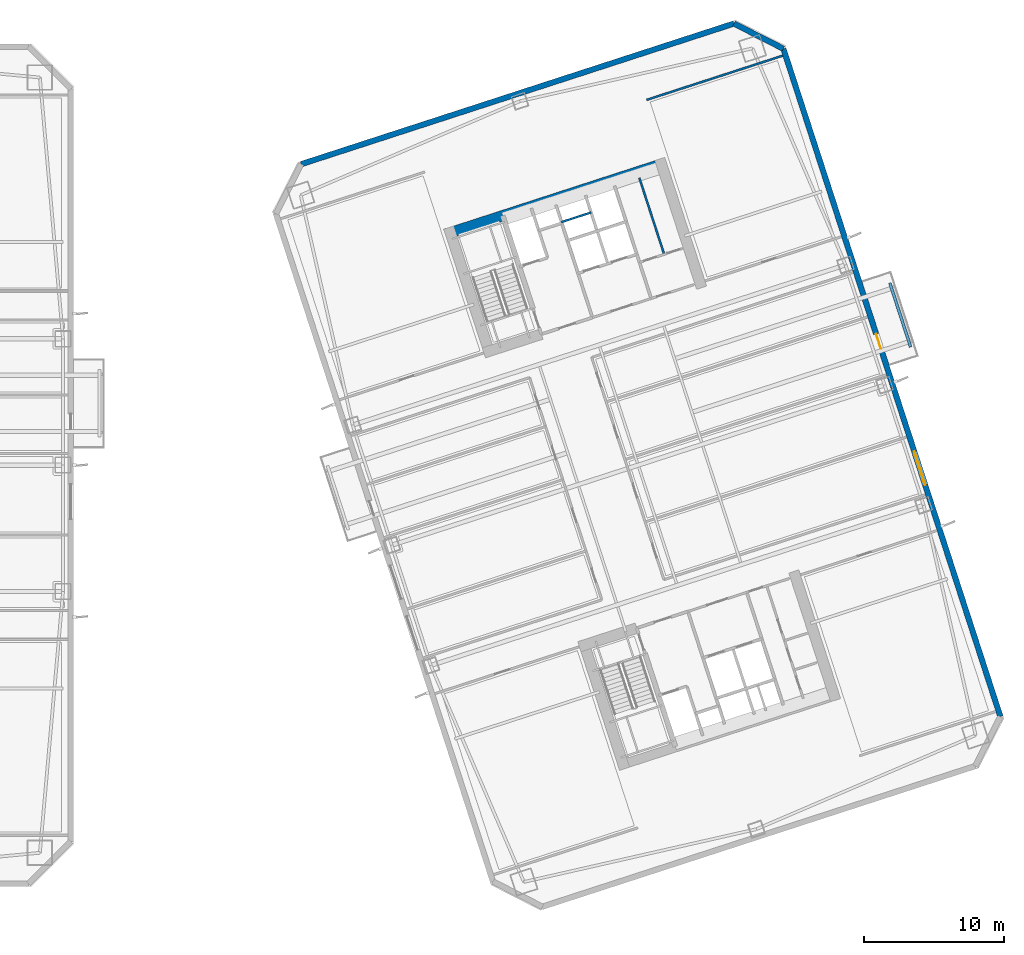
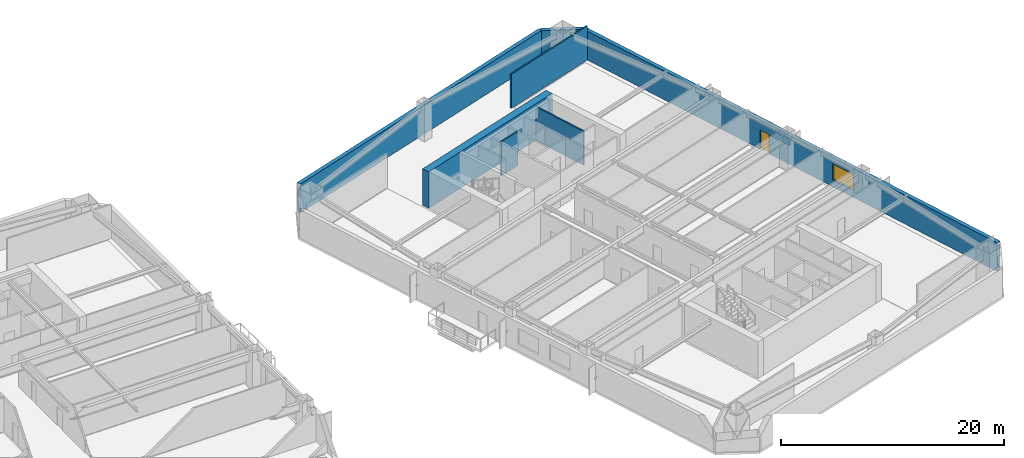
# One storey, part 9 of 21: 8 walls, 1 door, 1 window, 2 openings.
"""IFC4 building model written with IfcOpenShell, lengths in metres."""

from ifc_helpers import new_model, si_unit, direction, frame, frame_2d, origin, place, context, subcontext, project, spatial, rectangle, extrude, material, layer, layer_set, type_object, element, fill, save


model = new_model("IFC4")

# Units and contexts
model_context = context("Model", 3, precision=1e-05, world=origin(), true_north=direction((0.0, 1.0)))
body_context = subcontext(model_context, "Body", "Model", "MODEL_VIEW")
ifc_project = project(units=[si_unit("LENGTHUNIT", "METRE"), si_unit("AREAUNIT", "SQUARE_METRE"), si_unit("VOLUMEUNIT", "CUBIC_METRE"), si_unit("PLANEANGLEUNIT", "RADIAN"), si_unit("MASSUNIT", "GRAM", prefix="KILO")], contexts=[model_context])

# Site, building, storey
site_placement = place(None, origin())
site = spatial("IfcSite", under=ifc_project, at=site_placement, CompositionType="ELEMENT")
building_placement = place(site_placement, origin())
building = spatial("IfcBuilding", under=site, at=building_placement, Name="Qiaolan Cultural Towers", CompositionType="ELEMENT")
storey_placement = place(building_placement, frame((0.0, 0.0, 34.0)))
storey = spatial("IfcBuildingStorey", under=building, at=storey_placement, Name="L07", CompositionType="ELEMENT", Elevation=34.0)

# Walls
ifc_material_1 = material(Name="Concrete C60", Category="concrete")
ifc_layer_1 = layer(ifc_material_1, 0.75)
ifc_layer_set_1 = layer_set([ifc_layer_1], Name="Concrete C60")
wall_type_1 = type_object("IfcWallType", Name="WL-CORE-750", PredefinedType="SHEAR", material=ifc_layer_set_1)
wall_1_placement = place(storey_placement, frame((76.27197265625, 50.442626953125, 0.0), z_axis=(0.0, 0.0, 1.0), x_axis=(0.951056072937, 0.309018358888, 0.0)))
element("IfcWall", 1, at=wall_1_placement, inside=storey, type_object=wall_type_1, Name="L07 T2-CN Outer Core Shear Wall", PredefinedType="SHEAR", context=body_context, shape_type="SweptSolid", body=[
    extrude(rectangle(XDim=16.550048828125, YDim=0.75, at=frame_2d((8.27490234375, 0.0))), origin(), (0.0, 0.0, 1.0), 4.0),
])
ifc_material_2 = material(Name="Precast Concrete C50 Honed Stone Pier", Category="masonry")
ifc_layer_2 = layer(ifc_material_2, 0.39990234375)
ifc_layer_set_2 = layer_set([ifc_layer_2], Name="Precast Concrete C50 Honed Stone Pier")
wall_type_2 = type_object("IfcWallType", Name="WL-EXT-PIER-400", PredefinedType="SOLIDWALL", material=ifc_layer_set_2)
wall_2_placement = place(storey_placement, frame((66.002197265625, 55.433349609375, 0.0), z_axis=(0.0, 0.0, 1.0), x_axis=(0.951055939317, 0.309018770125, 0.0)))
element("IfcWall", 2, at=wall_2_placement, inside=storey, type_object=wall_type_2, Name="L07 East Tower Precast Pier Facade Wall F3", PredefinedType="SOLIDWALL", context=body_context, shape_type="SweptSolid", body=[
    extrude(rectangle(XDim=32.39990234375, YDim=0.39990234375, at=frame_2d((16.199951171875, 0.0))), origin(), (0.0, 0.0, 1.0), 3.159912109375),
])
wall_3_placement = place(storey_placement, frame((96.81640625, 65.445556640625, 0.0), z_axis=(0.0, 0.0, 1.0), x_axis=(0.890998089617, -0.454007053137, 0.0)))
element("IfcWall", 3, at=wall_3_placement, inside=storey, type_object=wall_type_2, Name="L07 East Tower Precast Pier Facade Wall F4", PredefinedType="SOLIDWALL", context=body_context, shape_type="SweptSolid", body=[
    extrude(rectangle(XDim=3.9599609375, YDim=0.39990234375, at=frame_2d((1.97998046875, 0.0))), origin(), (0.0, 0.0, 1.0), 3.159912109375),
])

# Wall, openings, door, window
wall_4_placement = place(storey_placement, frame((100.3447265625, 63.647705078125, 0.0), z_axis=(0.0, 0.0, 1.0), x_axis=(0.309014526607, -0.951057318118, 0.0)))
wall_4 = element("IfcWall", 4, at=wall_4_placement, inside=storey, type_object=wall_type_2, Name="L07 East Tower Precast Pier Facade Wall F5", PredefinedType="SOLIDWALL", context=body_context, shape_type="SweptSolid", body=[
    extrude(rectangle(XDim=49.999755859375, YDim=0.39990234375, at=frame_2d((25.0, 0.0))), origin(), (0.0, 0.0, 1.0), 3.159912109375),
])
opening_1_placement = place(wall_4_placement, frame((30.14990234375, 0.0, 0.75)))
opening_1 = element("IfcOpeningElement", 5, at=opening_1_placement, cuts=wall_4, Name="Opening W-01", PredefinedType="OPENING", context=body_context, shape_type="SweptSolid", body=[
    extrude(rectangle(XDim=2.5, YDim=1.75, at=frame_2d((1.25, 0.875))), frame((0.0, 0.2099609375, 0.0), z_axis=(0.0, -1.0, 0.0), x_axis=(1.0, 0.0, 0.0)), (0.0, 0.0, 1.0), 0.419921875),
])
opening_2_placement = place(wall_4_placement, frame((21.35400390625, 0.0, 0.0)))
opening_2 = element("IfcOpeningElement", 6, at=opening_2_placement, cuts=wall_4, Name="Opening BD-01", PredefinedType="OPENING", context=body_context, shape_type="SweptSolid", body=[
    extrude(rectangle(XDim=1.10009765625, YDim=2.14990234375, at=frame_2d((0.550048828125, 1.074951171875))), frame((0.0, 0.2099609375, 0.0), z_axis=(0.0, -1.0, 0.0), x_axis=(1.0, 0.0, 0.0)), (0.0, 0.0, 1.0), 0.419921875),
])
ifc_material_3 = material(Name="Thermally Broken Aluminium Glazed Terrace Door", Category="aluminium")
door_type = type_object("IfcDoorType", Name="DR-BAL-1100", OperationType="NOTDEFINED", PredefinedType="DOOR", material=ifc_material_3)
door_placement = place(opening_2_placement, origin())
door = element("IfcDoor", 7, at=door_placement, inside=storey, type_object=door_type, Name="L07 T2 East Tree Balcony Door", OperationType="SINGLE_SWING_RIGHT", OverallHeight=2.14990234375, OverallWidth=1.10009765625, PredefinedType="DOOR", context=body_context, shape_type="SweptSolid", body=[
    extrude(rectangle(XDim=1.10009765625, YDim=2.14990234375, at=frame_2d((0.550048828125, 1.074951171875))), frame((0.0, 0.02490234375, 0.0), z_axis=(0.0, -1.0, 0.0), x_axis=(1.0, 0.0, 0.0)), (0.0, 0.0, 1.0), 0.050048828125),
])
fill(opening_2, door)
ifc_material_4 = material(Name="Thermally Broken Aluminium Triple Low-E Glazing", Category="aluminium")
window_type = type_object("IfcWindowType", Name="WN-CHIC-2500", PartitioningType="SINGLE_PANEL", PredefinedType="WINDOW", material=ifc_material_4)
window_placement = place(opening_1_placement, origin())
window = element("IfcWindow", 8, at=window_placement, inside=storey, type_object=window_type, Name="L07 T2 E Chicago Bay Window 1", OverallHeight=1.75, OverallWidth=2.5, PartitioningType="TRIPLE_PANEL_VERTICAL", PredefinedType="WINDOW", context=body_context, shape_type="SweptSolid", body=[
    extrude(rectangle(XDim=2.5, YDim=1.75, at=frame_2d((1.25, 0.875))), frame((0.0, 0.030029296875, 0.0), z_axis=(0.0, -1.0, 0.0), x_axis=(1.0, 0.0, 0.0)), (0.0, 0.0, 1.0), 0.06005859375),
])
fill(opening_1, window)

# Walls
ifc_material_5 = material(Name="Autoclaved Aerated Concrete Block B06", Category="concrete")
ifc_layer_3 = layer(ifc_material_5, 0.14990234375)
ifc_layer_set_3 = layer_set([ifc_layer_3], Name="Autoclaved Aerated Concrete Block B06")
wall_type_3 = type_object("IfcWallType", Name="WL-PART-150", PredefinedType="PARTITIONING", material=ifc_layer_set_3)
wall_5_placement = place(storey_placement, frame((84.533935546875, 51.30810546875, 0.0), z_axis=(0.0, 0.0, 1.0), x_axis=(0.951075093106, 0.308959814982, 0.0)))
element("IfcWall", 9, at=wall_5_placement, inside=storey, type_object=wall_type_3, Name="L07 T2-CN Core Rear Riser Split", PredefinedType="PARTITIONING", context=body_context, shape_type="SweptSolid", body=[
    extrude(rectangle(XDim=2.22998046875, YDim=0.14990234375, at=frame_2d((1.114990234375, 0.0))), origin(), (0.0, 0.0, 1.0), 3.72509765625),
])
wall_6_placement = place(storey_placement, frame((91.853271484375, 49.007080078125, 0.0), z_axis=(0.0, 0.0, 1.0), x_axis=(-0.309022487551, 0.951054731437, 0.0)))
element("IfcWall", 10, at=wall_6_placement, inside=storey, type_object=wall_type_3, Name="L07 T2-CN Restroom Divider Wall", PredefinedType="PARTITIONING", context=body_context, shape_type="SweptSolid", body=[
    extrude(rectangle(XDim=5.730224609375, YDim=0.14990234375, at=frame_2d((2.865234375, 0.0))), origin(), (0.0, 0.0, 1.0), 3.72509765625),
])
wall_7_placement = place(storey_placement, frame((90.5927734375, 60.006103515625, 0.0), z_axis=(0.0, 0.0, 1.0), x_axis=(0.951059043131, 0.309009217467, 0.0)))
element("IfcWall", 11, at=wall_7_placement, inside=storey, type_object=wall_type_3, Name="L07 T2 Flank Wall FLK-NE", PredefinedType="PARTITIONING", context=body_context, shape_type="SweptSolid", body=[
    extrude(rectangle(XDim=10.199951171875, YDim=0.14990234375, at=frame_2d((5.10009765625, 0.0))), origin(), (0.0, 0.0, 1.0), 3.72509765625),
])
ifc_material_6 = material(Name="Precast Concrete C45 Tree Planter Upstand", Category="concrete")
ifc_layer_4 = layer(ifc_material_6, 0.199951171875)
ifc_layer_set_4 = layer_set([ifc_layer_4], Name="Precast Concrete C45 Tree Planter Upstand")
wall_type_4 = type_object("IfcWallType", Name="WL-PLANTER-200", PredefinedType="PARAPET", material=ifc_layer_set_4)
wall_8_placement = place(storey_placement, frame((109.401611328125, 42.406982421875, 0.0), z_axis=(0.0, 0.0, 1.0), x_axis=(-0.30900096172, 0.951061725471, 0.0)))
element("IfcWall", 12, at=wall_8_placement, inside=storey, type_object=wall_type_4, Name="L07 T2 Tree Balcony Soil Planter Box E", PredefinedType="PARAPET", context=body_context, shape_type="SweptSolid", body=[
    extrude(rectangle(XDim=4.7998046875, YDim=0.199951171875, at=frame_2d((2.39990234375, 0.0))), origin(), (0.0, 0.0, 1.0), 0.75),
])

save(model, "model.ifc")
